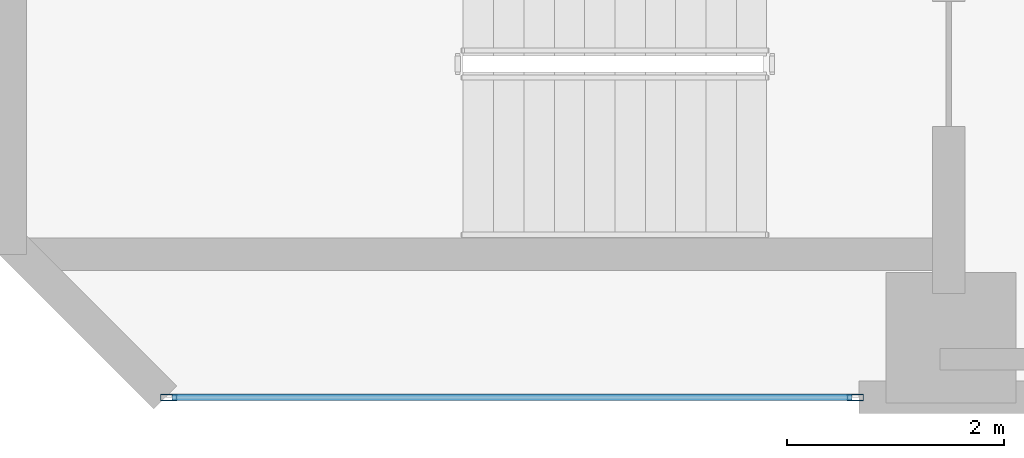
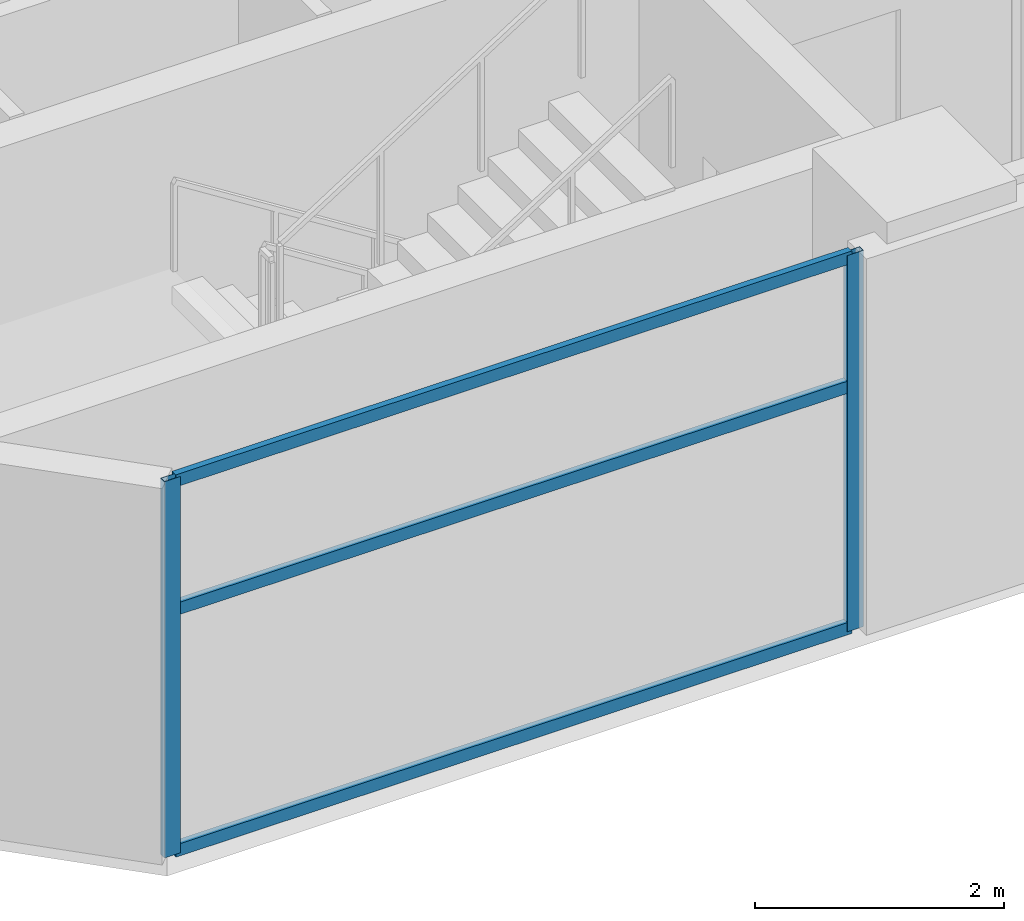
# One storey, part 2 of 15: 5 members, 1 element without a shape of its own.
"""IFC4 building model written with IfcOpenShell, lengths in metres."""

import ifcopenshell
import ifcopenshell.guid

model = None  # the IFC model being written
_history = None  # IfcOwnerHistory: only IFC2X3 demands one
_inside = {}  # id of a spatial element -> (the spatial element, [elements in it])
_under = {}  # id of a project, library or spatial element -> (it, [spatial elements below it])
_declared = {}  # id of a project -> (the project, [libraries it declares])
_typed = {}  # id of a type object -> (the type object, [elements of that type])
_made_of = {}  # id of a material, layer set ... -> (it, [elements and type objects made of it])


def new_model(schema):
    """Start an empty IFC model of exactly this schema.

    Asked for "IFC4X3", IfcOpenShell would pick the latest addendum, in which some entities
    have other attributes; the version numbers below select the first issue.
    IFC2X3 requires an IfcOwnerHistory on every rooted entity: one is made here for all.
    """
    global model, _history
    if schema == "IFC4X3":
        model = ifcopenshell.file(schema_version=(4, 3, 0, 0))
    else:
        model = ifcopenshell.file(schema=schema)
    _inside.clear()
    _under.clear()
    _declared.clear()
    _typed.clear()
    _made_of.clear()
    _history = None
    if model.schema == "IFC2X3":
        org = make("IfcOrganization", Name="unknown")
        user = make(
            "IfcPersonAndOrganization",
            ThePerson=make("IfcPerson", FamilyName="unknown"),
            TheOrganization=org,
        )
        app = make(
            "IfcApplication",
            ApplicationDeveloper=org,
            Version="unknown",
            ApplicationFullName="unknown",
            ApplicationIdentifier="unknown",
        )
        _history = make(
            "IfcOwnerHistory",
            OwningUser=user,
            OwningApplication=app,
            ChangeAction="ADDED",
            CreationDate=0,
        )
    return model


def make(cls, **values):
    """One entity of the class cls with the attributes given. An attribute that is None is left unset."""
    return model.create_entity(
        cls, **{name: value for name, value in values.items() if value is not None}
    )


def rooted(cls, **values):
    """An entity with a GlobalId (a new one), such as an element, a storey or a relation."""
    return make(cls, GlobalId=ifcopenshell.guid.new(), OwnerHistory=_history, **values)


def si_unit(unit_type, name, prefix=None):
    """IfcSIUnit, for example si_unit("LENGTHUNIT", "METRE", prefix="MILLI")."""
    return make("IfcSIUnit", UnitType=unit_type, Prefix=prefix, Name=name)


def assignment(units):
    """IfcUnitAssignment: the units of a project."""
    return None if units is None else make("IfcUnitAssignment", Units=units)


def point(xyz):
    """IfcCartesianPoint."""
    return None if xyz is None else make("IfcCartesianPoint", Coordinates=xyz)


def direction(xyz):
    """IfcDirection."""
    return None if xyz is None else make("IfcDirection", DirectionRatios=xyz)


def frame(location, z_axis=None, x_axis=None):
    """IfcAxis2Placement3D, a coordinate frame: its origin and axes. An axis left out is left unset."""
    return make(
        "IfcAxis2Placement3D",
        Location=point(location),
        Axis=direction(z_axis),
        RefDirection=direction(x_axis),
    )


def frame_2d(location, x_axis=None):
    """IfcAxis2Placement2D, a coordinate frame in the plane: its origin and x axis."""
    return make(
        "IfcAxis2Placement2D", Location=point(location), RefDirection=direction(x_axis)
    )


def origin():
    """The frame at (0, 0, 0) with its axes left unset."""
    return frame((0.0, 0.0, 0.0))


def origin_2d():
    """The frame at (0, 0) in the plane with its x axis left unset."""
    return frame_2d((0.0, 0.0))


def place(relative_to, where):
    """IfcLocalPlacement: puts the frame where relative to a parent placement (None: the world)."""
    return make(
        "IfcLocalPlacement", PlacementRelTo=relative_to, RelativePlacement=where
    )


def context(
    kind, dimensions, precision=None, world=None, true_north=None, identifier=None
):
    """IfcGeometricRepresentationContext, for example the 3D "Model" context."""
    return make(
        "IfcGeometricRepresentationContext",
        ContextIdentifier=identifier,
        ContextType=kind,
        CoordinateSpaceDimension=dimensions,
        Precision=precision,
        WorldCoordinateSystem=world,
        TrueNorth=true_north,
    )


def subcontext(parent, identifier, kind, view, scale=None):
    """IfcGeometricRepresentationSubContext, for example "Body" below "Model"."""
    return make(
        "IfcGeometricRepresentationSubContext",
        ContextIdentifier=identifier,
        ContextType=kind,
        ParentContext=parent,
        TargetScale=scale,
        TargetView=view,
    )


def project(units=None, contexts=None):
    """IfcProject with its units and contexts."""
    return rooted(
        "IfcProject",
        Name="project",
        RepresentationContexts=contexts,
        UnitsInContext=assignment(units),
    )


def spatial(cls, under=None, at=None, **own):
    """A site, building, storey or space (cls), placed at a placement, below another one or the project."""
    s = rooted(cls, ObjectPlacement=at, **own)
    if under is not None:
        _under.setdefault(under.id(), (under, []))[1].append(s)
    return s


def profile(cls, at=None, kind="AREA", **sizes):
    """A parametric profile (cls). Its sizes go by their IFC names, for example OverallWidth=200.0."""
    return make(cls, ProfileType=kind, Position=at, **sizes)


def hollow_rectangle(**sizes):
    """IfcRectangleHollowProfileDef."""
    return profile("IfcRectangleHollowProfileDef", **sizes)


def extrude(swept, where, along, depth):
    """IfcExtrudedAreaSolid: the profile swept, set in the frame where, extruded along a direction by depth."""
    return make(
        "IfcExtrudedAreaSolid",
        SweptArea=swept,
        Position=where,
        ExtrudedDirection=direction(along),
        Depth=depth,
    )


def shape(context_of_items, identifier, shape_type, items):
    """IfcShapeRepresentation: the items that make up one representation, for example the "Body"."""
    return make(
        "IfcShapeRepresentation",
        ContextOfItems=context_of_items,
        RepresentationIdentifier=identifier,
        RepresentationType=shape_type,
        Items=items,
    )


def material(Name=None, Category=None):
    """IfcMaterial."""
    return make("IfcMaterial", Name=Name, Category=Category)


def layer(
    of_material, thickness, ventilated=None, Name=None, Category=None, Priority=None
):
    """IfcMaterialLayer: one layer of a wall or slab, of a material (None: an air gap)."""
    return make(
        "IfcMaterialLayer",
        Material=of_material,
        LayerThickness=thickness,
        IsVentilated=ventilated,
        Name=Name,
        Category=Category,
        Priority=Priority,
    )


def layer_set(layers, Name=None):
    """IfcMaterialLayerSet."""
    return make("IfcMaterialLayerSet", MaterialLayers=layers, LayerSetName=Name)


def material_profile(
    of_material, cross_section, Name=None, Category=None, Priority=None
):
    """IfcMaterialProfile: a cross section and its material."""
    return make(
        "IfcMaterialProfile",
        Name=Name,
        Material=of_material,
        Profile=cross_section,
        Priority=Priority,
        Category=Category,
    )


def profile_set(profiles, Name=None, composite=None):
    """IfcMaterialProfileSet."""
    return make(
        "IfcMaterialProfileSet",
        Name=Name,
        MaterialProfiles=profiles,
        CompositeProfile=composite,
    )


def made_of(thing, what):
    """Note that an element or type object is made of a material, layer set ...; save() writes the relation."""
    if what is not None:
        _made_of.setdefault(what.id(), (what, []))[1].append(thing)
    return thing


def type_object(cls, material=None, **own):
    """A type object (cls), such as IfcWallType, which elements share."""
    return made_of(rooted(cls, **own), material)


def element(
    cls,
    number,
    at=None,
    inside=None,
    cuts=None,
    type_object=None,
    material=None,
    context=None,
    identifier="Body",
    shape_type=None,
    held_by="IfcProductDefinitionShape",
    body=None,
    shapes=None,
    **own,
):
    """One element of the class cls, such as IfcWall. Its Tag is "e" and its number.

    at: its placement. inside: the storey or other place that contains it. cuts: it is an
    opening in that element (IfcRelVoidsElement). A single representation is given by context,
    identifier, shape_type and body (its items); several are given by shapes. held_by: the class
    of the entity that holds the representations. save() writes the other relations.
    """
    e = rooted(cls, Tag="e%d" % number, ObjectPlacement=at, **own)
    if body is not None:
        shapes = [shape(context, identifier, shape_type, body)]
    if shapes is not None:
        e.Representation = make(held_by, Representations=shapes)
    if inside is not None:
        _inside.setdefault(inside.id(), (inside, []))[1].append(e)
    if cuts is not None:
        rooted(
            "IfcRelVoidsElement", RelatingBuildingElement=cuts, RelatedOpeningElement=e
        )
    if type_object is not None:
        _typed.setdefault(type_object.id(), (type_object, []))[1].append(e)
    return made_of(e, material)


def aggregate(whole, parts):
    """IfcRelAggregates: a whole, such as a stair, and the parts it consists of."""
    return rooted("IfcRelAggregates", RelatingObject=whole, RelatedObjects=parts)


def save(model, path):
    """Write the relations noted so far, then the file.

    IfcRelAggregates (storeys below a building ...), IfcRelContainedInSpatialStructure (elements
    in a storey), IfcRelDefinesByType, IfcRelAssociatesMaterial and IfcRelDeclares: one each for
    every whole, place, type object, material and project.
    """
    for whole, parts in _under.values():
        aggregate(whole, parts)
    for where, things in _inside.values():
        rooted(
            "IfcRelContainedInSpatialStructure",
            RelatedElements=things,
            RelatingStructure=where,
        )
    for kind, things in _typed.values():
        rooted("IfcRelDefinesByType", RelatedObjects=things, RelatingType=kind)
    for what, things in _made_of.values():
        rooted("IfcRelAssociatesMaterial", RelatedObjects=things, RelatingMaterial=what)
    for by, libraries in _declared.values():
        rooted("IfcRelDeclares", RelatingContext=by, RelatedDefinitions=libraries)
    model.write(path)


model = new_model("IFC4")

# Units and contexts
model_context = context("Model", 3, precision=1e-05, world=origin(), true_north=direction((0.0, 1.0)))
body_context = subcontext(model_context, "Body", "Model", "MODEL_VIEW")
ifc_project = project(units=[si_unit("LENGTHUNIT", "METRE"), si_unit("AREAUNIT", "SQUARE_METRE"), si_unit("VOLUMEUNIT", "CUBIC_METRE"), si_unit("PLANEANGLEUNIT", "RADIAN"), si_unit("MASSUNIT", "GRAM", prefix="KILO")], contexts=[model_context])

# Site, building, storey
site_placement = place(None, origin())
site = spatial("IfcSite", under=ifc_project, at=site_placement, CompositionType="ELEMENT")
building_placement = place(site_placement, origin())
building = spatial("IfcBuilding", under=site, at=building_placement, Name="Mawjaban Terraces University", CompositionType="ELEMENT")
storey_placement = place(building_placement, frame((0.0, 0.0, 119.0)))
storey = spatial("IfcBuildingStorey", under=building, at=storey_placement, Name="L28", CompositionType="ELEMENT", Elevation=119.0)

# Curtain wall, members
ifc_material_1 = material(Name="Anodised aluminium 6063-T6 and solar-control low-E glass", Category="aluminium")
ifc_layer = layer(ifc_material_1, 0.1650390625)
ifc_layer_set = layer_set([ifc_layer], Name="Anodised aluminium 6063-T6 and solar-control low-E glass")
curtain_wall_type = type_object("IfcCurtainWallType", Name="CWSystem_04_EastWing", PredefinedType="NOTDEFINED", material=ifc_layer_set)
curtain_wall_placement = place(storey_placement, origin())
curtain_wall = element("IfcCurtainWall", 1, at=curtain_wall_placement, inside=storey, type_object=curtain_wall_type, Name="L28 Curtain Wall CW-04 Run 1.1", PredefinedType="NOTDEFINED")
ifc_material_2 = material(Name="Anodised aluminium 6063-T6", Category="aluminium")
ifc_material_profile_1 = material_profile(ifc_material_2, hollow_rectangle(XDim=0.06005859375, YDim=0.14990234375, WallThickness=0.00390625, at=origin_2d()), Name="ALU150X60X4")
ifc_profile_set_1 = profile_set([ifc_material_profile_1], Name="Anodised aluminium 6063-T6")
member_type_1 = type_object("IfcMemberType", Name="Mullion_CW-04", PredefinedType="MULLION", material=ifc_profile_set_1)
member_1_placement = place(storey_placement, frame((24.532470703125, 0.0, 0.0), z_axis=(0.0, 0.0, 1.0), x_axis=(0.0, 1.0, 0.0)))
member_1 = element("IfcMember", 2, at=member_1_placement, type_object=member_type_1, Name="CW-04 mullion 1", PredefinedType="MULLION", context=body_context, shape_type="SweptSolid", body=[
    extrude(hollow_rectangle(XDim=0.06005859375, YDim=0.14990234375, WallThickness=0.00390625, at=origin_2d()), origin(), (0.0, 0.0, 1.0), 3.68994140625),
])
member_2_placement = place(storey_placement, frame((30.867431640625, 0.0, 0.0), z_axis=(0.0, 0.0, 1.0), x_axis=(0.0, 1.0, 0.0)))
member_2 = element("IfcMember", 3, at=member_2_placement, type_object=member_type_1, Name="CW-04 mullion 2", PredefinedType="MULLION", context=body_context, shape_type="SweptSolid", body=[
    extrude(hollow_rectangle(XDim=0.06005859375, YDim=0.14990234375, WallThickness=0.00390625, at=origin_2d()), origin(), (0.0, 0.0, 1.0), 3.68994140625),
])
ifc_material_profile_2 = material_profile(ifc_material_2, hollow_rectangle(XDim=0.06005859375, YDim=0.1201171875, WallThickness=0.00341796875, at=origin_2d()), Name="ALU120X60X3.5")
ifc_profile_set_2 = profile_set([ifc_material_profile_2], Name="Anodised aluminium 6063-T6")
member_type_2 = type_object("IfcMemberType", Name="Transom_CW-04", PredefinedType="NOTDEFINED", material=ifc_profile_set_2)
member_3_placement = place(storey_placement, frame((24.56494140625, 0.0, 0.030029296875), z_axis=(1.0, 0.0, 0.0), x_axis=(0.0, 1.0, 0.0)))
member_3 = element("IfcMember", 4, at=member_3_placement, type_object=member_type_2, Name="CW-04 transom 1.1", ObjectType="TRANSOM", PredefinedType="USERDEFINED", context=body_context, shape_type="SweptSolid", body=[
    extrude(hollow_rectangle(XDim=0.06005859375, YDim=0.1201171875, WallThickness=0.00341796875, at=origin_2d()), origin(), (0.0, 0.0, 1.0), 6.27001953125),
])
member_4_placement = place(storey_placement, frame((24.56494140625, 0.0, 2.39794921875), z_axis=(1.0, 0.0, 0.0), x_axis=(0.0, 1.0, 0.0)))
member_4 = element("IfcMember", 5, at=member_4_placement, type_object=member_type_2, Name="CW-04 transom 1.2", ObjectType="TRANSOM", PredefinedType="USERDEFINED", context=body_context, shape_type="SweptSolid", body=[
    extrude(hollow_rectangle(XDim=0.06005859375, YDim=0.1201171875, WallThickness=0.00341796875, at=origin_2d()), origin(), (0.0, 0.0, 1.0), 6.27001953125),
])
member_5_placement = place(storey_placement, frame((24.56494140625, 0.0, 3.659912109375), z_axis=(1.0, 0.0, 0.0), x_axis=(0.0, 1.0, 0.0)))
member_5 = element("IfcMember", 6, at=member_5_placement, type_object=member_type_2, Name="CW-04 transom 1.3", ObjectType="TRANSOM", PredefinedType="USERDEFINED", context=body_context, shape_type="SweptSolid", body=[
    extrude(hollow_rectangle(XDim=0.06005859375, YDim=0.1201171875, WallThickness=0.00341796875, at=origin_2d()), origin(), (0.0, 0.0, 1.0), 6.27001953125),
])
aggregate(curtain_wall, [member_1, member_2, member_3, member_4, member_5])

save(model, "model.ifc")
